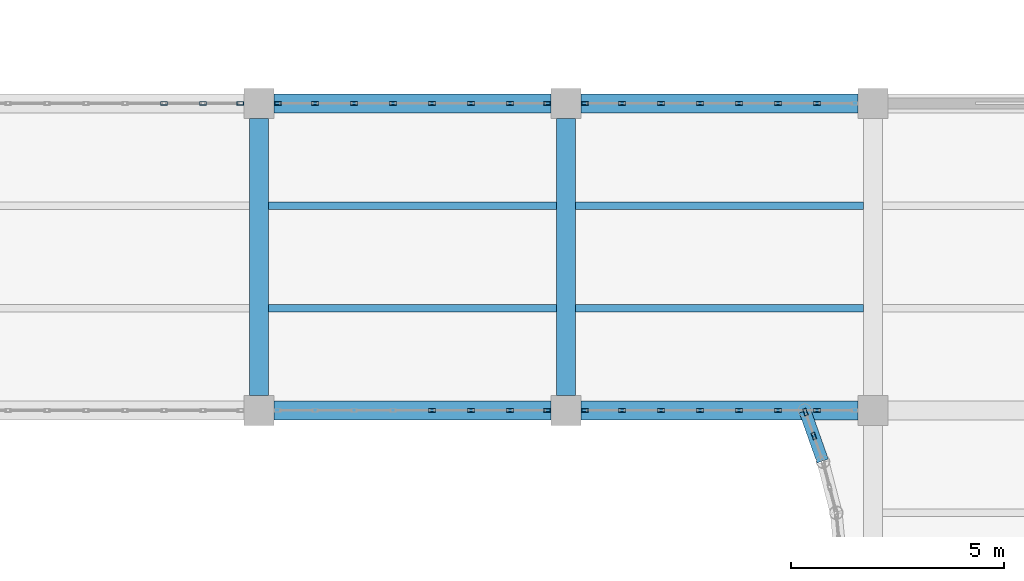
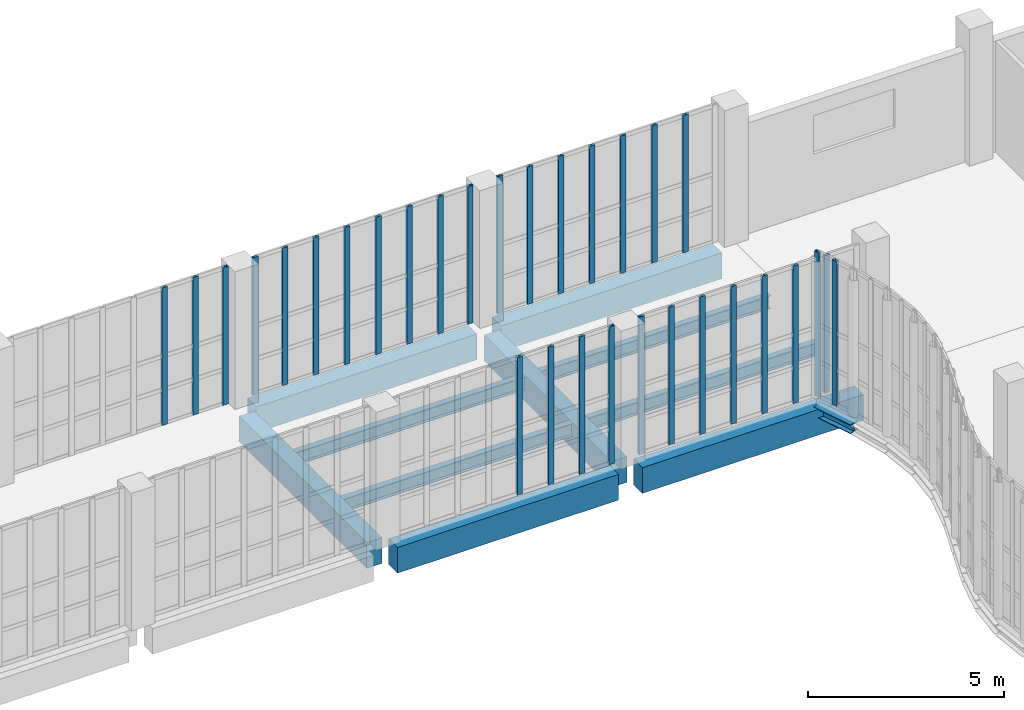
# One storey, part 26 of 108: 31 members, 11 beams, 6 elements without a shape of their own.
"""IFC4 building model written with IfcOpenShell, lengths in metres."""

import ifcopenshell
import ifcopenshell.guid

model = None  # the IFC model being written
_history = None  # IfcOwnerHistory: only IFC2X3 demands one
_inside = {}  # id of a spatial element -> (the spatial element, [elements in it])
_under = {}  # id of a project, library or spatial element -> (it, [spatial elements below it])
_declared = {}  # id of a project -> (the project, [libraries it declares])
_typed = {}  # id of a type object -> (the type object, [elements of that type])
_made_of = {}  # id of a material, layer set ... -> (it, [elements and type objects made of it])


def new_model(schema):
    """Start an empty IFC model of exactly this schema.

    Asked for "IFC4X3", IfcOpenShell would pick the latest addendum, in which some entities
    have other attributes; the version numbers below select the first issue.
    IFC2X3 requires an IfcOwnerHistory on every rooted entity: one is made here for all.
    """
    global model, _history
    if schema == "IFC4X3":
        model = ifcopenshell.file(schema_version=(4, 3, 0, 0))
    else:
        model = ifcopenshell.file(schema=schema)
    _inside.clear()
    _under.clear()
    _declared.clear()
    _typed.clear()
    _made_of.clear()
    _history = None
    if model.schema == "IFC2X3":
        org = make("IfcOrganization", Name="unknown")
        user = make(
            "IfcPersonAndOrganization",
            ThePerson=make("IfcPerson", FamilyName="unknown"),
            TheOrganization=org,
        )
        app = make(
            "IfcApplication",
            ApplicationDeveloper=org,
            Version="unknown",
            ApplicationFullName="unknown",
            ApplicationIdentifier="unknown",
        )
        _history = make(
            "IfcOwnerHistory",
            OwningUser=user,
            OwningApplication=app,
            ChangeAction="ADDED",
            CreationDate=0,
        )
    return model


def make(cls, **values):
    """One entity of the class cls with the attributes given. An attribute that is None is left unset."""
    return model.create_entity(
        cls, **{name: value for name, value in values.items() if value is not None}
    )


def rooted(cls, **values):
    """An entity with a GlobalId (a new one), such as an element, a storey or a relation."""
    return make(cls, GlobalId=ifcopenshell.guid.new(), OwnerHistory=_history, **values)


def si_unit(unit_type, name, prefix=None):
    """IfcSIUnit, for example si_unit("LENGTHUNIT", "METRE", prefix="MILLI")."""
    return make("IfcSIUnit", UnitType=unit_type, Prefix=prefix, Name=name)


def assignment(units):
    """IfcUnitAssignment: the units of a project."""
    return None if units is None else make("IfcUnitAssignment", Units=units)


def point(xyz):
    """IfcCartesianPoint."""
    return None if xyz is None else make("IfcCartesianPoint", Coordinates=xyz)


def direction(xyz):
    """IfcDirection."""
    return None if xyz is None else make("IfcDirection", DirectionRatios=xyz)


def frame(location, z_axis=None, x_axis=None):
    """IfcAxis2Placement3D, a coordinate frame: its origin and axes. An axis left out is left unset."""
    return make(
        "IfcAxis2Placement3D",
        Location=point(location),
        Axis=direction(z_axis),
        RefDirection=direction(x_axis),
    )


def frame_2d(location, x_axis=None):
    """IfcAxis2Placement2D, a coordinate frame in the plane: its origin and x axis."""
    return make(
        "IfcAxis2Placement2D", Location=point(location), RefDirection=direction(x_axis)
    )


def origin():
    """The frame at (0, 0, 0) with its axes left unset."""
    return frame((0.0, 0.0, 0.0))


def origin_2d():
    """The frame at (0, 0) in the plane with its x axis left unset."""
    return frame_2d((0.0, 0.0))


def place(relative_to, where):
    """IfcLocalPlacement: puts the frame where relative to a parent placement (None: the world)."""
    return make(
        "IfcLocalPlacement", PlacementRelTo=relative_to, RelativePlacement=where
    )


def context(
    kind, dimensions, precision=None, world=None, true_north=None, identifier=None
):
    """IfcGeometricRepresentationContext, for example the 3D "Model" context."""
    return make(
        "IfcGeometricRepresentationContext",
        ContextIdentifier=identifier,
        ContextType=kind,
        CoordinateSpaceDimension=dimensions,
        Precision=precision,
        WorldCoordinateSystem=world,
        TrueNorth=true_north,
    )


def subcontext(parent, identifier, kind, view, scale=None):
    """IfcGeometricRepresentationSubContext, for example "Body" below "Model"."""
    return make(
        "IfcGeometricRepresentationSubContext",
        ContextIdentifier=identifier,
        ContextType=kind,
        ParentContext=parent,
        TargetScale=scale,
        TargetView=view,
    )


def project(units=None, contexts=None):
    """IfcProject with its units and contexts."""
    return rooted(
        "IfcProject",
        Name="project",
        RepresentationContexts=contexts,
        UnitsInContext=assignment(units),
    )


def spatial(cls, under=None, at=None, **own):
    """A site, building, storey or space (cls), placed at a placement, below another one or the project."""
    s = rooted(cls, ObjectPlacement=at, **own)
    if under is not None:
        _under.setdefault(under.id(), (under, []))[1].append(s)
    return s


def profile(cls, at=None, kind="AREA", **sizes):
    """A parametric profile (cls). Its sizes go by their IFC names, for example OverallWidth=200.0."""
    return make(cls, ProfileType=kind, Position=at, **sizes)


def rectangle(**sizes):
    """IfcRectangleProfileDef."""
    return profile("IfcRectangleProfileDef", **sizes)


def hollow_rectangle(**sizes):
    """IfcRectangleHollowProfileDef."""
    return profile("IfcRectangleHollowProfileDef", **sizes)


def i_section(**sizes):
    """IfcIShapeProfileDef."""
    return profile("IfcIShapeProfileDef", **sizes)


def extrude(swept, where, along, depth):
    """IfcExtrudedAreaSolid: the profile swept, set in the frame where, extruded along a direction by depth."""
    return make(
        "IfcExtrudedAreaSolid",
        SweptArea=swept,
        Position=where,
        ExtrudedDirection=direction(along),
        Depth=depth,
    )


def shape(context_of_items, identifier, shape_type, items):
    """IfcShapeRepresentation: the items that make up one representation, for example the "Body"."""
    return make(
        "IfcShapeRepresentation",
        ContextOfItems=context_of_items,
        RepresentationIdentifier=identifier,
        RepresentationType=shape_type,
        Items=items,
    )


def material(Name=None, Category=None):
    """IfcMaterial."""
    return make("IfcMaterial", Name=Name, Category=Category)


def layer(
    of_material, thickness, ventilated=None, Name=None, Category=None, Priority=None
):
    """IfcMaterialLayer: one layer of a wall or slab, of a material (None: an air gap)."""
    return make(
        "IfcMaterialLayer",
        Material=of_material,
        LayerThickness=thickness,
        IsVentilated=ventilated,
        Name=Name,
        Category=Category,
        Priority=Priority,
    )


def layer_set(layers, Name=None):
    """IfcMaterialLayerSet."""
    return make("IfcMaterialLayerSet", MaterialLayers=layers, LayerSetName=Name)


def material_profile(
    of_material, cross_section, Name=None, Category=None, Priority=None
):
    """IfcMaterialProfile: a cross section and its material."""
    return make(
        "IfcMaterialProfile",
        Name=Name,
        Material=of_material,
        Profile=cross_section,
        Priority=Priority,
        Category=Category,
    )


def profile_set(profiles, Name=None, composite=None):
    """IfcMaterialProfileSet."""
    return make(
        "IfcMaterialProfileSet",
        Name=Name,
        MaterialProfiles=profiles,
        CompositeProfile=composite,
    )


def made_of(thing, what):
    """Note that an element or type object is made of a material, layer set ...; save() writes the relation."""
    if what is not None:
        _made_of.setdefault(what.id(), (what, []))[1].append(thing)
    return thing


def type_object(cls, material=None, **own):
    """A type object (cls), such as IfcWallType, which elements share."""
    return made_of(rooted(cls, **own), material)


def element(
    cls,
    number,
    at=None,
    inside=None,
    cuts=None,
    type_object=None,
    material=None,
    context=None,
    identifier="Body",
    shape_type=None,
    held_by="IfcProductDefinitionShape",
    body=None,
    shapes=None,
    **own,
):
    """One element of the class cls, such as IfcWall. Its Tag is "e" and its number.

    at: its placement. inside: the storey or other place that contains it. cuts: it is an
    opening in that element (IfcRelVoidsElement). A single representation is given by context,
    identifier, shape_type and body (its items); several are given by shapes. held_by: the class
    of the entity that holds the representations. save() writes the other relations.
    """
    e = rooted(cls, Tag="e%d" % number, ObjectPlacement=at, **own)
    if body is not None:
        shapes = [shape(context, identifier, shape_type, body)]
    if shapes is not None:
        e.Representation = make(held_by, Representations=shapes)
    if inside is not None:
        _inside.setdefault(inside.id(), (inside, []))[1].append(e)
    if cuts is not None:
        rooted(
            "IfcRelVoidsElement", RelatingBuildingElement=cuts, RelatedOpeningElement=e
        )
    if type_object is not None:
        _typed.setdefault(type_object.id(), (type_object, []))[1].append(e)
    return made_of(e, material)


def aggregate(whole, parts):
    """IfcRelAggregates: a whole, such as a stair, and the parts it consists of."""
    return rooted("IfcRelAggregates", RelatingObject=whole, RelatedObjects=parts)


def save(model, path):
    """Write the relations noted so far, then the file.

    IfcRelAggregates (storeys below a building ...), IfcRelContainedInSpatialStructure (elements
    in a storey), IfcRelDefinesByType, IfcRelAssociatesMaterial and IfcRelDeclares: one each for
    every whole, place, type object, material and project.
    """
    for whole, parts in _under.values():
        aggregate(whole, parts)
    for where, things in _inside.values():
        rooted(
            "IfcRelContainedInSpatialStructure",
            RelatedElements=things,
            RelatingStructure=where,
        )
    for kind, things in _typed.values():
        rooted("IfcRelDefinesByType", RelatedObjects=things, RelatingType=kind)
    for what, things in _made_of.values():
        rooted("IfcRelAssociatesMaterial", RelatedObjects=things, RelatingMaterial=what)
    for by, libraries in _declared.values():
        rooted("IfcRelDeclares", RelatingContext=by, RelatedDefinitions=libraries)
    model.write(path)


model = new_model("IFC4")

# Units and contexts
model_context = context("Model", 3, precision=1e-05, world=origin(), true_north=direction((0.0, 1.0)))
body_context = subcontext(model_context, "Body", "Model", "MODEL_VIEW")
ifc_project = project(units=[si_unit("LENGTHUNIT", "METRE"), si_unit("AREAUNIT", "SQUARE_METRE"), si_unit("VOLUMEUNIT", "CUBIC_METRE"), si_unit("PLANEANGLEUNIT", "RADIAN"), si_unit("MASSUNIT", "GRAM", prefix="KILO"), si_unit("THERMODYNAMICTEMPERATUREUNIT", "KELVIN"), si_unit("POWERUNIT", "WATT")], contexts=[model_context])

# Site, building, storey
site_placement = place(None, origin())
site = spatial("IfcSite", under=ifc_project, at=site_placement, CompositionType="ELEMENT")
building_placement = place(site_placement, origin())
building = spatial("IfcBuilding", under=site, at=building_placement, Name="Kaldorven Railside Theatre", CompositionType="ELEMENT")
storey_placement = place(building_placement, frame((0.0, 0.0, 5.39990234375)))
storey = spatial("IfcBuildingStorey", under=building, at=storey_placement, Name="L01", CompositionType="ELEMENT", Elevation=5.39990234375)

# Beams
ifc_material_1 = material(Name="Steel S355", Category="steel")
ifc_material_profile_1 = material_profile(ifc_material_1, i_section(OverallWidth=0.280029296875, OverallDepth=0.280029296875, WebThickness=0.010498046875, FlangeThickness=0.01806640625, at=origin_2d()), Name="HEB 280")
ifc_profile_set_1 = profile_set([ifc_material_profile_1], Name="Steel S355")
beam_type_1 = type_object("IfcBeamType", Name="BM-HEB280", PredefinedType="SPANDREL", material=ifc_profile_set_1)
beam_placement = place(storey_placement, frame((71.6201171875, 68.4140625, -0.419921875), z_axis=(-0.333847142245, 0.942627225161, 0.0), x_axis=(-0.942627225161, -0.333847142245, 0.0)))
element("IfcBeam", 1, at=beam_placement, inside=storey, type_object=beam_type_1, Name="L01 Sinusoidal Flute Edge Spandrel FSB-240", PredefinedType="SPANDREL", context=body_context, shape_type="SweptSolid", body=[
    extrude(i_section(OverallWidth=0.280029296875, OverallDepth=0.280029296875, WebThickness=0.010498046875, FlangeThickness=0.01806640625, at=origin_2d()), origin(), (0.0, 0.0, 1.0), 1.2431640625),
])
ifc_material_profile_2 = material_profile(ifc_material_1, i_section(OverallWidth=0.179931640625, OverallDepth=0.39990234375, WebThickness=0.008544921875, FlangeThickness=0.013427734375, at=origin_2d()), Name="IPE 400")
ifc_profile_set_2 = profile_set([ifc_material_profile_2], Name="Steel S355")
beam_type_2 = type_object("IfcBeamType", Name="BM-IPE400", PredefinedType="JOIST", material=ifc_profile_set_2)
for number, where, z_axis, x_axis, name in (
    (2, (58.625, 72.0, -0.43994140625), (1.0, 0.0, 0.0), (0.0, 1.0, 0.0), "L01 Secondary Floor Joist JG-L01-058-0720"),
    (3, (58.625, 74.39990234375, -0.43994140625), (1.0, 0.0, 0.0), (0.0, 1.0, 0.0), "L01 Secondary Floor Joist JG-L01-058-0744"),
    (4, (65.824951171875, 72.0, -0.43994140625), (1.0, 0.0, 0.0), (0.0, 1.0, 0.0), "L01 Secondary Floor Joist JG-L01-065-0720"),
    (5, (65.824951171875, 74.39990234375, -0.43994140625), (1.0, 0.0, 0.0), (0.0, 1.0, 0.0), "L01 Secondary Floor Joist JG-L01-065-0744"),
):
    element("IfcBeam", number, at=place(storey_placement, frame(where, z_axis=z_axis, x_axis=x_axis)), inside=storey, type_object=beam_type_2, Name=name, PredefinedType="JOIST", context=body_context, shape_type="SweptSolid", body=[
        extrude(i_section(OverallWidth=0.179931640625, OverallDepth=0.39990234375, WebThickness=0.008544921875, FlangeThickness=0.013427734375, at=origin_2d()), origin(), (0.0, 0.0, 1.0), 6.75),
    ])
ifc_material_2 = material(Name="Concrete C40/50", Category="concrete")
ifc_material_profile_3 = material_profile(ifc_material_2, rectangle(XDim=0.449951171875, YDim=0.800048828125, at=origin_2d()), Name="RC 450x800")
ifc_profile_set_3 = profile_set([ifc_material_profile_3], Name="Concrete C40/50")
beam_type_3 = type_object("IfcBeamType", Name="BM-RC450x800", PredefinedType="BEAM", material=ifc_profile_set_3)
for number, where, z_axis, x_axis, name in (
    (6, (58.75, 69.60009765625, -0.639892578125), (1.0, 0.0, 0.0), (0.0, 1.0, 0.0), "L01 Girder BGX-L01-058-069"),
    (7, (58.39990234375, 69.949951171875, -0.639892578125), (0.0, 1.0, 0.0), (-1.0, 0.0, 0.0), "L01 Girder BGY-L01-058-069-72"),
    (8, (65.949951171875, 69.60009765625, -0.679931640625), (1.0, 0.0, 0.0), (0.0, 1.0, 0.0), "L01 Girder BGX-L01-065-069"),
    (9, (65.60009765625, 69.949951171875, -0.639892578125), (0.0, 1.0, 0.0), (-1.0, 0.0, 0.0), "L01 Girder BGY-L01-065-069-72"),
    (10, (58.75, 76.800048828125, -0.639892578125), (1.0, 0.0, 0.0), (0.0, 1.0, 0.0), "L01 Girder BGX-L01-058-076"),
    (11, (65.949951171875, 76.800048828125, -0.639892578125), (1.0, 0.0, 0.0), (0.0, 1.0, 0.0), "L01 Girder BGX-L01-065-076"),
):
    element("IfcBeam", number, at=place(storey_placement, frame(where, z_axis=z_axis, x_axis=x_axis)), inside=storey, type_object=beam_type_3, Name=name, PredefinedType="BEAM", context=body_context, shape_type="SweptSolid", body=[
        extrude(rectangle(XDim=0.449951171875, YDim=0.800048828125, at=origin_2d()), origin(), (0.0, 0.0, 1.0), 6.5),
    ])

# Curtain wall, members
ifc_material_3 = material(Name="Low-E laminated solar-control glass", Category="glass")
ifc_layer_1 = layer(ifc_material_3, 0.159912109375, Name="Low-E laminated solar-control glass")
ifc_layer_set_1 = layer_set([ifc_layer_1], Name="Low-E laminated solar-control glass")
curtain_wall_type_1 = type_object("IfcCurtainWallType", Name="CWT-01", PredefinedType="USERDEFINED", material=ifc_layer_set_1)
curtain_wall_1_placement = place(storey_placement, origin())
curtain_wall_1 = element("IfcCurtainWall", 12, at=curtain_wall_1_placement, inside=storey, type_object=curtain_wall_type_1, Name="Sinusoidal Fluted Curtain Wall CW-L01-W24", ObjectType="FLUTED GLAZING", PredefinedType="USERDEFINED")
ifc_material_4 = material(Name="Anodised bronze aluminium", Category="aluminium")
ifc_material_profile_4 = material_profile(ifc_material_4, hollow_rectangle(XDim=0.080078125, YDim=0.159912109375, WallThickness=0.00634765625, at=origin_2d()), Name="RHS 160x80x6.3")
ifc_profile_set_4 = profile_set([ifc_material_profile_4], Name="Anodised bronze aluminium")
member_type = type_object("IfcMemberType", Name="CWM-160", PredefinedType="MULLION", material=ifc_profile_set_4)
member_1_placement = place(storey_placement, frame((71.41259765625, 69.0, 0.0), z_axis=(0.0, 0.0, 1.0), x_axis=(-0.942627225159, -0.33384714225, 0.0)))
member_1 = element("IfcMember", 13, at=member_1_placement, type_object=member_type, Name="CW-L01-W24 mullion 2", PredefinedType="MULLION", context=body_context, shape_type="SweptSolid", body=[
    extrude(hollow_rectangle(XDim=0.080078125, YDim=0.159912109375, WallThickness=0.00634765625, at=origin_2d()), origin(), (0.0, 0.0, 1.0), 4.5),
])
member_2_placement = place(storey_placement, frame((71.21337890625, 69.562255859375, 0.0), z_axis=(0.0, 0.0, 1.0), x_axis=(-0.942627225159, -0.33384714225, 0.0)))
member_2 = element("IfcMember", 14, at=member_2_placement, type_object=member_type, Name="CW-L01-W24 mullion 3", PredefinedType="MULLION", context=body_context, shape_type="SweptSolid", body=[
    extrude(hollow_rectangle(XDim=0.080078125, YDim=0.159912109375, WallThickness=0.00634765625, at=origin_2d()), origin(), (0.0, 0.0, 1.0), 4.5),
])
aggregate(curtain_wall_1, [member_1, member_2])

ifc_layer_2 = layer(ifc_material_3, 0.159912109375, Name="Low-E laminated solar-control glass")
ifc_layer_set_2 = layer_set([ifc_layer_2], Name="Low-E laminated solar-control glass")
curtain_wall_type_2 = type_object("IfcCurtainWallType", Name="CWT-25", PredefinedType="USERDEFINED", material=ifc_layer_set_2)
curtain_wall_2_placement = place(storey_placement, origin())
curtain_wall_2 = element("IfcCurtainWall", 15, at=curtain_wall_2_placement, inside=storey, type_object=curtain_wall_type_2, Name="Sinusoidal Fluted Curtain Wall CW-L01-BN02", ObjectType="FLUTED GLAZING", PredefinedType="USERDEFINED")
member_3_placement = place(storey_placement, frame((56.17138671875, 76.800048828125, 0.0), z_axis=(0.0, 0.0, 1.0), x_axis=(0.0, 1.0, 0.0)))
member_3 = element("IfcMember", 16, at=member_3_placement, type_object=member_type, Name="CW-L01-BN02 mullion 6", PredefinedType="MULLION", context=body_context, shape_type="SweptSolid", body=[
    extrude(hollow_rectangle(XDim=0.080078125, YDim=0.159912109375, WallThickness=0.00634765625, at=origin_2d()), origin(), (0.0, 0.0, 1.0), 4.280029296875),
])
member_4_placement = place(storey_placement, frame((57.085693359375, 76.800048828125, 0.0), z_axis=(0.0, 0.0, 1.0), x_axis=(0.0, 1.0, 0.0)))
member_4 = element("IfcMember", 17, at=member_4_placement, type_object=member_type, Name="CW-L01-BN02 mullion 7", PredefinedType="MULLION", context=body_context, shape_type="SweptSolid", body=[
    extrude(hollow_rectangle(XDim=0.080078125, YDim=0.159912109375, WallThickness=0.00634765625, at=origin_2d()), origin(), (0.0, 0.0, 1.0), 4.280029296875),
])
member_5_placement = place(storey_placement, frame((57.9599609375, 76.800048828125, 0.0), z_axis=(0.0, 0.0, 1.0), x_axis=(0.0, 1.0, 0.0)))
member_5 = element("IfcMember", 18, at=member_5_placement, type_object=member_type, Name="CW-L01-BN02 mullion 8", PredefinedType="MULLION", context=body_context, shape_type="SweptSolid", body=[
    extrude(hollow_rectangle(XDim=0.080078125, YDim=0.159912109375, WallThickness=0.00634765625, at=origin_2d()), origin(), (0.0, 0.0, 1.0), 4.280029296875),
])
aggregate(curtain_wall_2, [member_3, member_4, member_5])

curtain_wall_3_placement = place(storey_placement, origin())
curtain_wall_3 = element("IfcCurtainWall", 19, at=curtain_wall_3_placement, inside=storey, type_object=curtain_wall_type_2, Name="Sinusoidal Fluted Curtain Wall CW-L01-BS03", ObjectType="FLUTED GLAZING", PredefinedType="USERDEFINED")
member_6_placement = place(storey_placement, frame((62.45703125, 69.60009765625, 0.0), z_axis=(0.0, 0.0, 1.0), x_axis=(0.0, 1.0, 0.0)))
member_6 = element("IfcMember", 20, at=member_6_placement, type_object=member_type, Name="CW-L01-BS03 mullion 5", PredefinedType="MULLION", context=body_context, shape_type="SweptSolid", body=[
    extrude(hollow_rectangle(XDim=0.080078125, YDim=0.159912109375, WallThickness=0.00634765625, at=origin_2d()), origin(), (0.0, 0.0, 1.0), 4.280029296875),
])
member_7_placement = place(storey_placement, frame((63.371337890625, 69.60009765625, 0.0), z_axis=(0.0, 0.0, 1.0), x_axis=(0.0, 1.0, 0.0)))
member_7 = element("IfcMember", 21, at=member_7_placement, type_object=member_type, Name="CW-L01-BS03 mullion 6", PredefinedType="MULLION", context=body_context, shape_type="SweptSolid", body=[
    extrude(hollow_rectangle(XDim=0.080078125, YDim=0.159912109375, WallThickness=0.00634765625, at=origin_2d()), origin(), (0.0, 0.0, 1.0), 4.280029296875),
])
member_8_placement = place(storey_placement, frame((64.28564453125, 69.60009765625, 0.0), z_axis=(0.0, 0.0, 1.0), x_axis=(0.0, 1.0, 0.0)))
member_8 = element("IfcMember", 22, at=member_8_placement, type_object=member_type, Name="CW-L01-BS03 mullion 7", PredefinedType="MULLION", context=body_context, shape_type="SweptSolid", body=[
    extrude(hollow_rectangle(XDim=0.080078125, YDim=0.159912109375, WallThickness=0.00634765625, at=origin_2d()), origin(), (0.0, 0.0, 1.0), 4.280029296875),
])
member_9_placement = place(storey_placement, frame((65.159912109375, 69.60009765625, 0.0), z_axis=(0.0, 0.0, 1.0), x_axis=(0.0, 1.0, 0.0)))
member_9 = element("IfcMember", 23, at=member_9_placement, type_object=member_type, Name="CW-L01-BS03 mullion 8", PredefinedType="MULLION", context=body_context, shape_type="SweptSolid", body=[
    extrude(hollow_rectangle(XDim=0.080078125, YDim=0.159912109375, WallThickness=0.00634765625, at=origin_2d()), origin(), (0.0, 0.0, 1.0), 4.280029296875),
])
aggregate(curtain_wall_3, [member_6, member_7, member_8, member_9])

curtain_wall_4_placement = place(storey_placement, origin())
curtain_wall_4 = element("IfcCurtainWall", 24, at=curtain_wall_4_placement, inside=storey, type_object=curtain_wall_type_2, Name="Sinusoidal Fluted Curtain Wall CW-L01-BN03", ObjectType="FLUTED GLAZING", PredefinedType="USERDEFINED")
member_10_placement = place(storey_placement, frame((58.840087890625, 76.800048828125, 0.0), z_axis=(0.0, 0.0, 1.0), x_axis=(0.0, 1.0, 0.0)))
member_10 = element("IfcMember", 25, at=member_10_placement, type_object=member_type, Name="CW-L01-BN03 mullion 1", PredefinedType="MULLION", context=body_context, shape_type="SweptSolid", body=[
    extrude(hollow_rectangle(XDim=0.080078125, YDim=0.159912109375, WallThickness=0.00634765625, at=origin_2d()), origin(), (0.0, 0.0, 1.0), 4.280029296875),
])
member_11_placement = place(storey_placement, frame((59.71435546875, 76.800048828125, 0.0), z_axis=(0.0, 0.0, 1.0), x_axis=(0.0, 1.0, 0.0)))
member_11 = element("IfcMember", 26, at=member_11_placement, type_object=member_type, Name="CW-L01-BN03 mullion 2", PredefinedType="MULLION", context=body_context, shape_type="SweptSolid", body=[
    extrude(hollow_rectangle(XDim=0.080078125, YDim=0.159912109375, WallThickness=0.00634765625, at=origin_2d()), origin(), (0.0, 0.0, 1.0), 4.280029296875),
])
member_12_placement = place(storey_placement, frame((60.628662109375, 76.800048828125, 0.0), z_axis=(0.0, 0.0, 1.0), x_axis=(0.0, 1.0, 0.0)))
member_12 = element("IfcMember", 27, at=member_12_placement, type_object=member_type, Name="CW-L01-BN03 mullion 3", PredefinedType="MULLION", context=body_context, shape_type="SweptSolid", body=[
    extrude(hollow_rectangle(XDim=0.080078125, YDim=0.159912109375, WallThickness=0.00634765625, at=origin_2d()), origin(), (0.0, 0.0, 1.0), 4.280029296875),
])
member_13_placement = place(storey_placement, frame((61.54296875, 76.800048828125, 0.0), z_axis=(0.0, 0.0, 1.0), x_axis=(0.0, 1.0, 0.0)))
member_13 = element("IfcMember", 28, at=member_13_placement, type_object=member_type, Name="CW-L01-BN03 mullion 4", PredefinedType="MULLION", context=body_context, shape_type="SweptSolid", body=[
    extrude(hollow_rectangle(XDim=0.080078125, YDim=0.159912109375, WallThickness=0.00634765625, at=origin_2d()), origin(), (0.0, 0.0, 1.0), 4.280029296875),
])
member_14_placement = place(storey_placement, frame((62.45703125, 76.800048828125, 0.0), z_axis=(0.0, 0.0, 1.0), x_axis=(0.0, 1.0, 0.0)))
member_14 = element("IfcMember", 29, at=member_14_placement, type_object=member_type, Name="CW-L01-BN03 mullion 5", PredefinedType="MULLION", context=body_context, shape_type="SweptSolid", body=[
    extrude(hollow_rectangle(XDim=0.080078125, YDim=0.159912109375, WallThickness=0.00634765625, at=origin_2d()), origin(), (0.0, 0.0, 1.0), 4.280029296875),
])
member_15_placement = place(storey_placement, frame((63.371337890625, 76.800048828125, 0.0), z_axis=(0.0, 0.0, 1.0), x_axis=(0.0, 1.0, 0.0)))
member_15 = element("IfcMember", 30, at=member_15_placement, type_object=member_type, Name="CW-L01-BN03 mullion 6", PredefinedType="MULLION", context=body_context, shape_type="SweptSolid", body=[
    extrude(hollow_rectangle(XDim=0.080078125, YDim=0.159912109375, WallThickness=0.00634765625, at=origin_2d()), origin(), (0.0, 0.0, 1.0), 4.280029296875),
])
member_16_placement = place(storey_placement, frame((64.28564453125, 76.800048828125, 0.0), z_axis=(0.0, 0.0, 1.0), x_axis=(0.0, 1.0, 0.0)))
member_16 = element("IfcMember", 31, at=member_16_placement, type_object=member_type, Name="CW-L01-BN03 mullion 7", PredefinedType="MULLION", context=body_context, shape_type="SweptSolid", body=[
    extrude(hollow_rectangle(XDim=0.080078125, YDim=0.159912109375, WallThickness=0.00634765625, at=origin_2d()), origin(), (0.0, 0.0, 1.0), 4.280029296875),
])
member_17_placement = place(storey_placement, frame((65.159912109375, 76.800048828125, 0.0), z_axis=(0.0, 0.0, 1.0), x_axis=(0.0, 1.0, 0.0)))
member_17 = element("IfcMember", 32, at=member_17_placement, type_object=member_type, Name="CW-L01-BN03 mullion 8", PredefinedType="MULLION", context=body_context, shape_type="SweptSolid", body=[
    extrude(hollow_rectangle(XDim=0.080078125, YDim=0.159912109375, WallThickness=0.00634765625, at=origin_2d()), origin(), (0.0, 0.0, 1.0), 4.280029296875),
])
aggregate(curtain_wall_4, [member_10, member_11, member_12, member_13, member_14, member_15, member_16, member_17])

curtain_wall_5_placement = place(storey_placement, origin())
curtain_wall_5 = element("IfcCurtainWall", 33, at=curtain_wall_5_placement, inside=storey, type_object=curtain_wall_type_2, Name="Sinusoidal Fluted Curtain Wall CW-L01-BS04", ObjectType="FLUTED GLAZING", PredefinedType="USERDEFINED")
member_18_placement = place(storey_placement, frame((66.0400390625, 69.60009765625, 0.0), z_axis=(0.0, 0.0, 1.0), x_axis=(0.0, 1.0, 0.0)))
member_18 = element("IfcMember", 34, at=member_18_placement, type_object=member_type, Name="CW-L01-BS04 mullion 1", PredefinedType="MULLION", context=body_context, shape_type="SweptSolid", body=[
    extrude(hollow_rectangle(XDim=0.080078125, YDim=0.159912109375, WallThickness=0.00634765625, at=origin_2d()), origin(), (0.0, 0.0, 1.0), 4.280029296875),
])
member_19_placement = place(storey_placement, frame((66.914306640625, 69.60009765625, 0.0), z_axis=(0.0, 0.0, 1.0), x_axis=(0.0, 1.0, 0.0)))
member_19 = element("IfcMember", 35, at=member_19_placement, type_object=member_type, Name="CW-L01-BS04 mullion 2", PredefinedType="MULLION", context=body_context, shape_type="SweptSolid", body=[
    extrude(hollow_rectangle(XDim=0.080078125, YDim=0.159912109375, WallThickness=0.00634765625, at=origin_2d()), origin(), (0.0, 0.0, 1.0), 4.280029296875),
])
member_20_placement = place(storey_placement, frame((67.82861328125, 69.60009765625, 0.0), z_axis=(0.0, 0.0, 1.0), x_axis=(0.0, 1.0, 0.0)))
member_20 = element("IfcMember", 36, at=member_20_placement, type_object=member_type, Name="CW-L01-BS04 mullion 3", PredefinedType="MULLION", context=body_context, shape_type="SweptSolid", body=[
    extrude(hollow_rectangle(XDim=0.080078125, YDim=0.159912109375, WallThickness=0.00634765625, at=origin_2d()), origin(), (0.0, 0.0, 1.0), 4.280029296875),
])
member_21_placement = place(storey_placement, frame((68.742919921875, 69.60009765625, 0.0), z_axis=(0.0, 0.0, 1.0), x_axis=(0.0, 1.0, 0.0)))
member_21 = element("IfcMember", 37, at=member_21_placement, type_object=member_type, Name="CW-L01-BS04 mullion 4", PredefinedType="MULLION", context=body_context, shape_type="SweptSolid", body=[
    extrude(hollow_rectangle(XDim=0.080078125, YDim=0.159912109375, WallThickness=0.00634765625, at=origin_2d()), origin(), (0.0, 0.0, 1.0), 4.280029296875),
])
member_22_placement = place(storey_placement, frame((69.6572265625, 69.60009765625, 0.0), z_axis=(0.0, 0.0, 1.0), x_axis=(0.0, 1.0, 0.0)))
member_22 = element("IfcMember", 38, at=member_22_placement, type_object=member_type, Name="CW-L01-BS04 mullion 5", PredefinedType="MULLION", context=body_context, shape_type="SweptSolid", body=[
    extrude(hollow_rectangle(XDim=0.080078125, YDim=0.159912109375, WallThickness=0.00634765625, at=origin_2d()), origin(), (0.0, 0.0, 1.0), 4.280029296875),
])
member_23_placement = place(storey_placement, frame((70.571533203125, 69.60009765625, 0.0), z_axis=(0.0, 0.0, 1.0), x_axis=(0.0, 1.0, 0.0)))
member_23 = element("IfcMember", 39, at=member_23_placement, type_object=member_type, Name="CW-L01-BS04 mullion 6", PredefinedType="MULLION", context=body_context, shape_type="SweptSolid", body=[
    extrude(hollow_rectangle(XDim=0.080078125, YDim=0.159912109375, WallThickness=0.00634765625, at=origin_2d()), origin(), (0.0, 0.0, 1.0), 4.280029296875),
])
member_24_placement = place(storey_placement, frame((71.485595703125, 69.60009765625, 0.0), z_axis=(0.0, 0.0, 1.0), x_axis=(0.0, 1.0, 0.0)))
member_24 = element("IfcMember", 40, at=member_24_placement, type_object=member_type, Name="CW-L01-BS04 mullion 7", PredefinedType="MULLION", context=body_context, shape_type="SweptSolid", body=[
    extrude(hollow_rectangle(XDim=0.080078125, YDim=0.159912109375, WallThickness=0.00634765625, at=origin_2d()), origin(), (0.0, 0.0, 1.0), 4.280029296875),
])
aggregate(curtain_wall_5, [member_18, member_19, member_20, member_21, member_22, member_23, member_24])

curtain_wall_6_placement = place(storey_placement, origin())
curtain_wall_6 = element("IfcCurtainWall", 41, at=curtain_wall_6_placement, inside=storey, type_object=curtain_wall_type_2, Name="Sinusoidal Fluted Curtain Wall CW-L01-BN04", ObjectType="FLUTED GLAZING", PredefinedType="USERDEFINED")
member_25_placement = place(storey_placement, frame((66.0400390625, 76.800048828125, 0.0), z_axis=(0.0, 0.0, 1.0), x_axis=(0.0, 1.0, 0.0)))
member_25 = element("IfcMember", 42, at=member_25_placement, type_object=member_type, Name="CW-L01-BN04 mullion 1", PredefinedType="MULLION", context=body_context, shape_type="SweptSolid", body=[
    extrude(hollow_rectangle(XDim=0.080078125, YDim=0.159912109375, WallThickness=0.00634765625, at=origin_2d()), origin(), (0.0, 0.0, 1.0), 4.280029296875),
])
member_26_placement = place(storey_placement, frame((66.914306640625, 76.800048828125, 0.0), z_axis=(0.0, 0.0, 1.0), x_axis=(0.0, 1.0, 0.0)))
member_26 = element("IfcMember", 43, at=member_26_placement, type_object=member_type, Name="CW-L01-BN04 mullion 2", PredefinedType="MULLION", context=body_context, shape_type="SweptSolid", body=[
    extrude(hollow_rectangle(XDim=0.080078125, YDim=0.159912109375, WallThickness=0.00634765625, at=origin_2d()), origin(), (0.0, 0.0, 1.0), 4.280029296875),
])
member_27_placement = place(storey_placement, frame((67.82861328125, 76.800048828125, 0.0), z_axis=(0.0, 0.0, 1.0), x_axis=(0.0, 1.0, 0.0)))
member_27 = element("IfcMember", 44, at=member_27_placement, type_object=member_type, Name="CW-L01-BN04 mullion 3", PredefinedType="MULLION", context=body_context, shape_type="SweptSolid", body=[
    extrude(hollow_rectangle(XDim=0.080078125, YDim=0.159912109375, WallThickness=0.00634765625, at=origin_2d()), origin(), (0.0, 0.0, 1.0), 4.280029296875),
])
member_28_placement = place(storey_placement, frame((68.742919921875, 76.800048828125, 0.0), z_axis=(0.0, 0.0, 1.0), x_axis=(0.0, 1.0, 0.0)))
member_28 = element("IfcMember", 45, at=member_28_placement, type_object=member_type, Name="CW-L01-BN04 mullion 4", PredefinedType="MULLION", context=body_context, shape_type="SweptSolid", body=[
    extrude(hollow_rectangle(XDim=0.080078125, YDim=0.159912109375, WallThickness=0.00634765625, at=origin_2d()), origin(), (0.0, 0.0, 1.0), 4.280029296875),
])
member_29_placement = place(storey_placement, frame((69.6572265625, 76.800048828125, 0.0), z_axis=(0.0, 0.0, 1.0), x_axis=(0.0, 1.0, 0.0)))
member_29 = element("IfcMember", 46, at=member_29_placement, type_object=member_type, Name="CW-L01-BN04 mullion 5", PredefinedType="MULLION", context=body_context, shape_type="SweptSolid", body=[
    extrude(hollow_rectangle(XDim=0.080078125, YDim=0.159912109375, WallThickness=0.00634765625, at=origin_2d()), origin(), (0.0, 0.0, 1.0), 4.280029296875),
])
member_30_placement = place(storey_placement, frame((70.571533203125, 76.800048828125, 0.0), z_axis=(0.0, 0.0, 1.0), x_axis=(0.0, 1.0, 0.0)))
member_30 = element("IfcMember", 47, at=member_30_placement, type_object=member_type, Name="CW-L01-BN04 mullion 6", PredefinedType="MULLION", context=body_context, shape_type="SweptSolid", body=[
    extrude(hollow_rectangle(XDim=0.080078125, YDim=0.159912109375, WallThickness=0.00634765625, at=origin_2d()), origin(), (0.0, 0.0, 1.0), 4.280029296875),
])
member_31_placement = place(storey_placement, frame((71.485595703125, 76.800048828125, 0.0), z_axis=(0.0, 0.0, 1.0), x_axis=(0.0, 1.0, 0.0)))
member_31 = element("IfcMember", 48, at=member_31_placement, type_object=member_type, Name="CW-L01-BN04 mullion 7", PredefinedType="MULLION", context=body_context, shape_type="SweptSolid", body=[
    extrude(hollow_rectangle(XDim=0.080078125, YDim=0.159912109375, WallThickness=0.00634765625, at=origin_2d()), origin(), (0.0, 0.0, 1.0), 4.280029296875),
])
aggregate(curtain_wall_6, [member_25, member_26, member_27, member_28, member_29, member_30, member_31])

save(model, "model.ifc")
